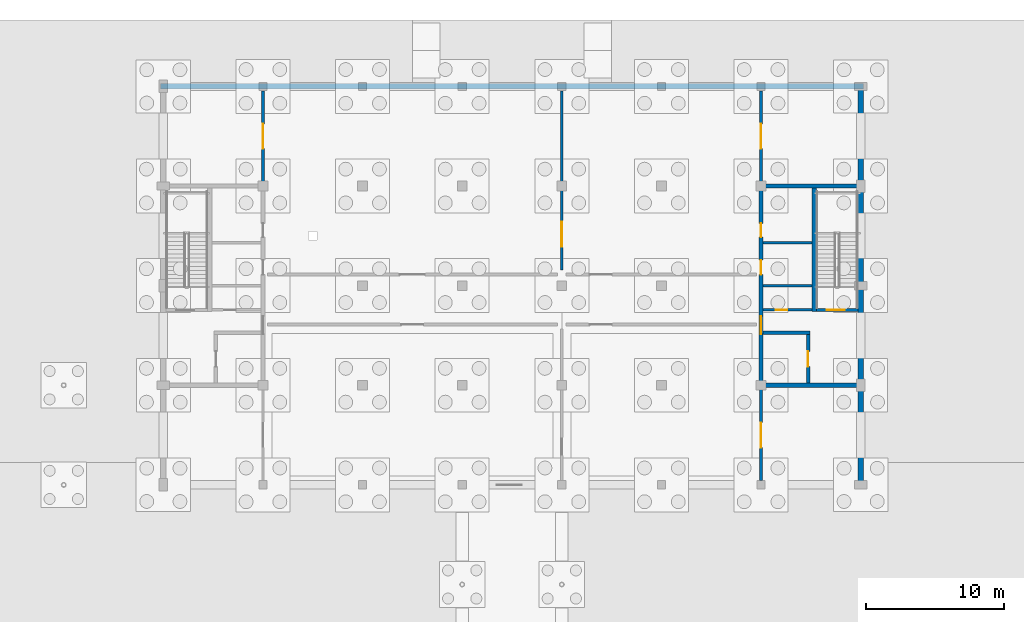
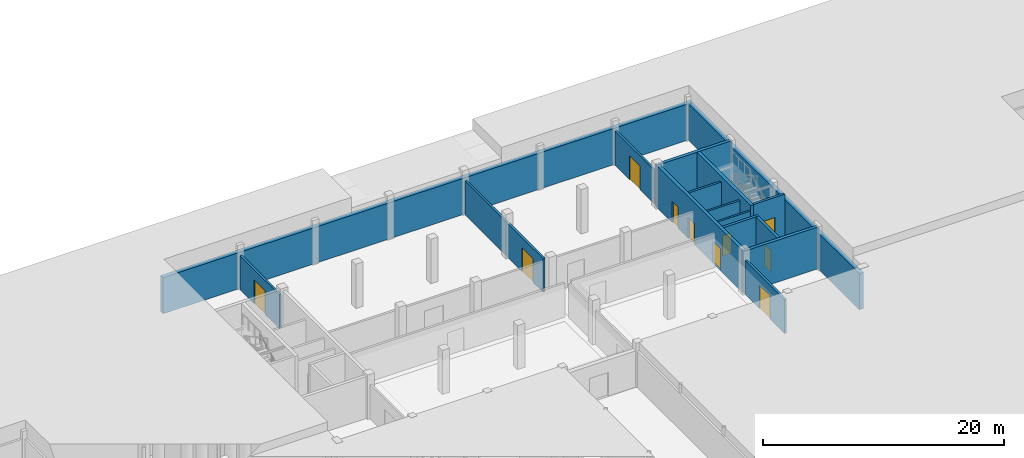
# One storey, part 31 of 51: 16 walls, 10 doors, 10 openings.
"""IFC4 building model written with IfcOpenShell, lengths in metres."""

from ifc_helpers import new_model, si_unit, direction, frame, frame_2d, origin, place, context, subcontext, project, spatial, rectangle, extrude, material, layer, layer_set, type_object, element, fill, save


model = new_model("IFC4")

# Units and contexts
model_context = context("Model", 3, precision=1e-05, world=origin(), true_north=direction((0.0, 1.0)))
body_context = subcontext(model_context, "Body", "Model", "MODEL_VIEW")
ifc_project = project(units=[si_unit("LENGTHUNIT", "METRE"), si_unit("AREAUNIT", "SQUARE_METRE"), si_unit("VOLUMEUNIT", "CUBIC_METRE"), si_unit("PLANEANGLEUNIT", "RADIAN"), si_unit("MASSUNIT", "GRAM", prefix="KILO")], contexts=[model_context])

# Site, building, storey
site_placement = place(None, origin())
site = spatial("IfcSite", under=ifc_project, at=site_placement, CompositionType="ELEMENT")
building_placement = place(site_placement, origin())
building = spatial("IfcBuilding", under=site, at=building_placement, Name="Zlatovets Crest Museum", CompositionType="ELEMENT")
storey_placement = place(building_placement, frame((0.0, 0.0, -4.5)))
storey = spatial("IfcBuildingStorey", under=building, at=storey_placement, Name="B1", CompositionType="ELEMENT", Elevation=-4.5)

# Walls
ifc_material_1 = material(Name="Concrete C35/45", Category="concrete")
ifc_layer_1 = layer(ifc_material_1, 0.300048828125)
ifc_layer_set_1 = layer_set([ifc_layer_1], Name="Concrete C35/45")
wall_type_1 = type_object("IfcWallType", Name="CoreWall_SW01", PredefinedType="SHEAR", material=ifc_layer_set_1)
for number, where, z_axis, x_axis, name in (
    (1, (100.64990234375, 93.60009765625, 0.0), (0.0, 0.0, 1.0), (1.0, 0.0, 0.0), "Core C6 B1 South Shear Wall"),
    (2, (100.64990234375, 108.0, 0.0), (0.0, 0.0, 1.0), (1.0, 0.0, 0.0), "Core C6 B1 North Shear Wall"),
):
    element("IfcWall", number, at=place(storey_placement, frame(where, z_axis=z_axis, x_axis=x_axis)), inside=storey, type_object=wall_type_1, Name=name, PredefinedType="SHEAR", context=body_context, shape_type="SweptSolid", body=[
        extrude(rectangle(XDim=7.150146484375, YDim=0.300048828125, at=frame_2d((3.5751953125, 0.0))), origin(), (0.0, 0.0, 1.0), 4.25),
    ])

# Wall, openings, doors
wall_1_placement = place(storey_placement, frame((100.800048828125, 93.75, 0.0), z_axis=(0.0, 0.0, 1.0), x_axis=(0.0, 1.0, 0.0)))
wall_1 = element("IfcWall", 3, at=wall_1_placement, inside=storey, type_object=wall_type_1, Name="Core C6 B1 Spine Shear Wall", PredefinedType="SHEAR", context=body_context, shape_type="SweptSolid", body=[
    extrude(rectangle(XDim=14.10009765625, YDim=0.300048828125, at=frame_2d((7.050048828125, 0.0))), origin(), (0.0, 0.0, 1.0), 4.25),
])
opening_1_placement = place(wall_1_placement, frame((3.550048828125, 0.0, 0.0)))
opening_1 = element("IfcOpeningElement", 4, at=opening_1_placement, cuts=wall_1, Name="Opening FD-01", PredefinedType="OPENING", context=body_context, shape_type="SweptSolid", body=[
    extrude(rectangle(XDim=1.300048828125, YDim=2.199951171875, at=frame_2d((0.64990234375, 1.10009765625))), frame((0.0, 0.16015625, 0.0), z_axis=(0.0, -1.0, 0.0), x_axis=(1.0, 0.0, 0.0)), (0.0, 0.0, 1.0), 0.320068359375),
])
opening_2_placement = place(wall_1_placement, frame((7.85009765625, 0.0, 0.0)))
opening_2 = element("IfcOpeningElement", 5, at=opening_2_placement, cuts=wall_1, Name="Opening ID-02", PredefinedType="OPENING", context=body_context, shape_type="SweptSolid", body=[
    extrude(rectangle(XDim=1.050048828125, YDim=2.14990234375, at=frame_2d((0.52490234375, 1.074951171875))), frame((0.0, 0.16015625, 0.0), z_axis=(0.0, -1.0, 0.0), x_axis=(1.0, 0.0, 0.0)), (0.0, 0.0, 1.0), 0.320068359375),
])
opening_3_placement = place(wall_1_placement, frame((10.550048828125, 0.0, 0.0)))
opening_3 = element("IfcOpeningElement", 6, at=opening_3_placement, cuts=wall_1, Name="Opening ID-01", PredefinedType="OPENING", context=body_context, shape_type="SweptSolid", body=[
    extrude(rectangle(XDim=1.0, YDim=2.14990234375, at=frame_2d((0.5, 1.074951171875))), frame((0.0, 0.16015625, 0.0), z_axis=(0.0, -1.0, 0.0), x_axis=(1.0, 0.0, 0.0)), (0.0, 0.0, 1.0), 0.320068359375),
])
ifc_material_2 = material(Name="Smoke-sealed steel fire door", Category="steel")
door_type_1 = type_object("IfcDoorType", Name="IntDoor_FD-01", OperationType="NOTDEFINED", PredefinedType="DOOR", material=ifc_material_2)
door_1_placement = place(opening_1_placement, origin())
door_1 = element("IfcDoor", 7, at=door_1_placement, inside=storey, type_object=door_type_1, Name="CDOOR-C6-B1-LOB Core C6 B1 Lobby Fire Door", OperationType="SINGLE_SWING_LEFT", OverallHeight=2.199951171875, OverallWidth=1.300048828125, PredefinedType="DOOR", context=body_context, shape_type="SweptSolid", body=[
    extrude(rectangle(XDim=1.300048828125, YDim=2.199951171875, at=frame_2d((0.64990234375, 1.10009765625))), frame((0.0, 0.02490234375, 0.0), z_axis=(0.0, -1.0, 0.0), x_axis=(1.0, 0.0, 0.0)), (0.0, 0.0, 1.0), 0.050048828125),
])
fill(opening_1, door_1)
ifc_material_3 = material(Name="Solid oak museum room door")
door_type_2 = type_object("IfcDoorType", Name="IntDoor_ID-01", OperationType="NOTDEFINED", PredefinedType="DOOR", material=ifc_material_3)
door_2_placement = place(opening_3_placement, origin())
door_2 = element("IfcDoor", 8, at=door_2_placement, inside=storey, type_object=door_type_2, Name="CDOOR-C6-B1-WC Core C6 B1 Public Restroom Door", OperationType="SINGLE_SWING_RIGHT", OverallHeight=2.14990234375, OverallWidth=1.0, PredefinedType="DOOR", context=body_context, shape_type="SweptSolid", body=[
    extrude(rectangle(XDim=1.0, YDim=2.14990234375, at=frame_2d((0.5, 1.074951171875))), frame((0.0, 0.02490234375, 0.0), z_axis=(0.0, -1.0, 0.0), x_axis=(1.0, 0.0, 0.0)), (0.0, 0.0, 1.0), 0.050048828125),
])
fill(opening_3, door_2)
ifc_material_4 = material(Name="Accessible sanitary room door")
door_type_3 = type_object("IfcDoorType", Name="IntDoor_ID-02", OperationType="NOTDEFINED", PredefinedType="DOOR", material=ifc_material_4)
door_3_placement = place(opening_2_placement, origin())
door_3 = element("IfcDoor", 9, at=door_3_placement, inside=storey, type_object=door_type_3, Name="CDOOR-C6-B1-AWC Core C6 B1 Accessible WC Door", OperationType="SINGLE_SWING_LEFT", OverallHeight=2.14990234375, OverallWidth=1.050048828125, PredefinedType="DOOR", context=body_context, shape_type="SweptSolid", body=[
    extrude(rectangle(XDim=1.050048828125, YDim=2.14990234375, at=frame_2d((0.52490234375, 1.074951171875))), frame((0.0, 0.02490234375, 0.0), z_axis=(0.0, -1.0, 0.0), x_axis=(1.0, 0.0, 0.0)), (0.0, 0.0, 1.0), 0.050048828125),
])
fill(opening_2, door_3)

# Wall
wall_2_placement = place(storey_placement, frame((104.64990234375, 98.93994140625, 0.0), z_axis=(0.0, 0.0, 1.0), x_axis=(0.0, 1.0, 0.0)))
element("IfcWall", 10, at=wall_2_placement, inside=storey, type_object=wall_type_1, Name="Core C6 B1 Stair Divider Wall", PredefinedType="SHEAR", context=body_context, shape_type="SweptSolid", body=[
    extrude(rectangle(XDim=8.91015625, YDim=0.300048828125, at=frame_2d((4.455078125, 0.0))), origin(), (0.0, 0.0, 1.0), 4.25),
])

# Wall, opening, door
ifc_layer_2 = layer(ifc_material_1, 0.25)
ifc_layer_set_2 = layer_set([ifc_layer_2], Name="Concrete C35/45")
wall_type_2 = type_object("IfcWallType", Name="CoreWall_SW02", PredefinedType="SHEAR", material=ifc_layer_set_2)
wall_3_placement = place(storey_placement, frame((104.199951171875, 93.75, 0.0), z_axis=(0.0, 0.0, 1.0), x_axis=(0.0, 1.0, 0.0)))
wall_3 = element("IfcWall", 11, at=wall_3_placement, inside=storey, type_object=wall_type_2, Name="Core C6 B1 Lift Shaft Wall", PredefinedType="SHEAR", context=body_context, shape_type="SweptSolid", body=[
    extrude(rectangle(XDim=3.52490234375, YDim=0.25, at=frame_2d((1.762451171875, 0.0))), origin(), (0.0, 0.0, 1.0), 4.25),
])
opening_4_placement = place(wall_3_placement, frame((1.199951171875, 0.0, 0.0)))
opening_4 = element("IfcOpeningElement", 12, at=opening_4_placement, cuts=wall_3, Name="Opening LD-01", PredefinedType="OPENING", context=body_context, shape_type="SweptSolid", body=[
    extrude(rectangle(XDim=1.10009765625, YDim=2.14990234375, at=frame_2d((0.550048828125, 1.074951171875))), frame((0.0, 0.135009765625, 0.0), z_axis=(0.0, -1.0, 0.0), x_axis=(1.0, 0.0, 0.0)), (0.0, 0.0, 1.0), 0.27001953125),
])
ifc_material_5 = material(Name="Stainless-bronze sliding lift landing door")
door_type_4 = type_object("IfcDoorType", Name="IntDoor_LD-01", OperationType="SLIDING_TO_LEFT", PredefinedType="DOOR", material=ifc_material_5)
door_4_placement = place(opening_4_placement, origin())
door_4 = element("IfcDoor", 13, at=door_4_placement, inside=storey, type_object=door_type_4, Name="LDOOR-FL2-B1 Lift FL2 B1 Sliding Landing Door", OperationType="SLIDING_TO_LEFT", OverallHeight=2.14990234375, OverallWidth=1.10009765625, PredefinedType="DOOR", context=body_context, shape_type="SweptSolid", body=[
    extrude(rectangle(XDim=1.10009765625, YDim=2.14990234375, at=frame_2d((0.550048828125, 1.074951171875))), frame((0.0, 0.02490234375, 0.0), z_axis=(0.0, -1.0, 0.0), x_axis=(1.0, 0.0, 0.0)), (0.0, 0.0, 1.0), 0.050048828125),
])
fill(opening_4, door_4)

wall_4_placement = place(storey_placement, frame((104.800048828125, 99.050048828125, 0.0), z_axis=(0.0, 0.0, 1.0), x_axis=(1.0, 0.0, 0.0)))
wall_4 = element("IfcWall", 14, at=wall_4_placement, inside=storey, type_object=wall_type_2, Name="Core C6 B1 Stairwell Fire Wall", PredefinedType="SHEAR", context=body_context, shape_type="SweptSolid", body=[
    extrude(rectangle(XDim=3.0, YDim=0.219970703125, at=frame_2d((1.5, 0.0))), origin(), (0.0, 0.0, 1.0), 4.25),
])
opening_5_placement = place(wall_4_placement, frame((0.75, 0.0, 0.0)))
opening_5 = element("IfcOpeningElement", 15, at=opening_5_placement, cuts=wall_4, Name="Opening FD-01", PredefinedType="OPENING", context=body_context, shape_type="SweptSolid", body=[
    extrude(rectangle(XDim=1.300048828125, YDim=2.199951171875, at=frame_2d((0.64990234375, 1.10009765625))), frame((0.0, 0.1201171875, 0.0), z_axis=(0.0, -1.0, 0.0), x_axis=(1.0, 0.0, 0.0)), (0.0, 0.0, 1.0), 0.239990234375),
])
door_5_placement = place(opening_5_placement, origin())
door_5 = element("IfcDoor", 16, at=door_5_placement, inside=storey, type_object=door_type_1, Name="SDOOR-ST7-B1 Stair ST7 B1 Fire Door", OperationType="SINGLE_SWING_LEFT", OverallHeight=2.199951171875, OverallWidth=1.300048828125, PredefinedType="DOOR", context=body_context, shape_type="SweptSolid", body=[
    extrude(rectangle(XDim=1.300048828125, YDim=2.199951171875, at=frame_2d((0.64990234375, 1.10009765625))), frame((0.0, 0.02490234375, 0.0), z_axis=(0.0, -1.0, 0.0), x_axis=(1.0, 0.0, 0.0)), (0.0, 0.0, 1.0), 0.050048828125),
])
fill(opening_5, door_5)

# Wall
wall_5_placement = place(storey_placement, frame((100.949951171875, 97.39990234375, 0.0), z_axis=(0.0, 0.0, 1.0), x_axis=(1.0, 0.0, 0.0)))
element("IfcWall", 17, at=wall_5_placement, inside=storey, type_object=wall_type_2, Name="Core C6 B1 Lift Shaft North Shear Wall", PredefinedType="SHEAR", context=body_context, shape_type="SweptSolid", body=[
    extrude(rectangle(XDim=3.375, YDim=0.25, at=frame_2d((1.6875, 0.0))), origin(), (0.0, 0.0, 1.0), 4.25),
])

# Wall, opening, door
ifc_material_6 = material(Name="Gypsum-encased fire compartment partition")
ifc_layer_3 = layer(ifc_material_6, 0.199951171875)
ifc_layer_set_3 = layer_set([ifc_layer_3], Name="Gypsum-encased fire compartment partition")
wall_type_3 = type_object("IfcWallType", Name="PartWall_PT-01", PredefinedType="PARTITIONING", material=ifc_layer_set_3)
wall_6_placement = place(storey_placement, frame((100.800048828125, 86.719970703125, 0.0), z_axis=(0.0, 0.0, 1.0), x_axis=(0.0, 1.0, 0.0)))
wall_6 = element("IfcWall", 18, at=wall_6_placement, inside=storey, type_object=wall_type_3, Name="V1 B1 Interior Partition PT-01", PredefinedType="PARTITIONING", context=body_context, shape_type="SweptSolid", body=[
    extrude(rectangle(XDim=6.56005859375, YDim=0.199951171875, at=frame_2d((3.280029296875, 0.0))), origin(), (0.0, 0.0, 1.0), 3.449951171875),
])
opening_6_placement = place(wall_6_placement, frame((2.3798828125, 0.0, 0.0)))
opening_6 = element("IfcOpeningElement", 19, at=opening_6_placement, cuts=wall_6, Name="Opening FD-04", PredefinedType="OPENING", context=body_context, shape_type="SweptSolid", body=[
    extrude(rectangle(XDim=1.800048828125, YDim=2.39990234375, at=frame_2d((0.89990234375, 1.199951171875))), frame((0.0, 0.10986328125, 0.0), z_axis=(0.0, -1.0, 0.0), x_axis=(1.0, 0.0, 0.0)), (0.0, 0.0, 1.0), 0.219970703125),
])
ifc_material_7 = material(Name="Archive vault heavy fire door")
door_type_5 = type_object("IfcDoorType", Name="IntDoor_FD-04", OperationType="DOUBLE_DOOR_SINGLE_SWING", PredefinedType="DOOR", material=ifc_material_7)
door_6_placement = place(opening_6_placement, origin())
door_6 = element("IfcDoor", 20, at=door_6_placement, inside=storey, type_object=door_type_5, Name="IDOOR-V1-B1-0007 Thracian Epigraphy Exhibition Gallery to Numismatic Vault Study Door", OperationType="DOUBLE_DOOR_SINGLE_SWING", OverallHeight=2.39990234375, OverallWidth=1.800048828125, PredefinedType="DOOR", context=body_context, shape_type="SweptSolid", body=[
    extrude(rectangle(XDim=1.800048828125, YDim=2.39990234375, at=frame_2d((0.89990234375, 1.199951171875))), frame((0.0, 0.02490234375, 0.0), z_axis=(0.0, -1.0, 0.0), x_axis=(1.0, 0.0, 0.0)), (0.0, 0.0, 1.0), 0.050048828125),
])
fill(opening_6, door_6)

wall_7_placement = place(storey_placement, frame((86.39990234375, 101.919921875, 0.0), z_axis=(0.0, 0.0, 1.0), x_axis=(0.0, 1.0, 0.0)))
wall_7 = element("IfcWall", 21, at=wall_7_placement, inside=storey, type_object=wall_type_3, Name="V1 B1 Interior Partition PT-01", PredefinedType="PARTITIONING", context=body_context, shape_type="SweptSolid", body=[
    extrude(rectangle(XDim=12.9599609375, YDim=0.199951171875, at=frame_2d((6.47998046875, 0.0))), origin(), (0.0, 0.0, 1.0), 3.449951171875),
])
opening_7_placement = place(wall_7_placement, frame((1.69189453125, 0.0, 0.0)))
opening_7 = element("IfcOpeningElement", 22, at=opening_7_placement, cuts=wall_7, Name="Opening FD-04", PredefinedType="OPENING", context=body_context, shape_type="SweptSolid", body=[
    extrude(rectangle(XDim=1.800048828125, YDim=2.39990234375, at=frame_2d((0.89990234375, 1.199951171875))), frame((0.0, 0.10986328125, 0.0), z_axis=(0.0, -1.0, 0.0), x_axis=(1.0, 0.0, 0.0)), (0.0, 0.0, 1.0), 0.219970703125),
])
door_7_placement = place(opening_7_placement, origin())
door_7 = element("IfcDoor", 23, at=door_7_placement, inside=storey, type_object=door_type_5, Name="IDOOR-V1-B1-0008 Sculpture Collection Archive to Stone and Mosaic Conservation Laboratory Door", OperationType="DOUBLE_DOOR_SINGLE_SWING", OverallHeight=2.39990234375, OverallWidth=1.800048828125, PredefinedType="DOOR", context=body_context, shape_type="SweptSolid", body=[
    extrude(rectangle(XDim=1.800048828125, YDim=2.39990234375, at=frame_2d((0.89990234375, 1.199951171875))), frame((0.0, 0.02490234375, 0.0), z_axis=(0.0, -1.0, 0.0), x_axis=(1.0, 0.0, 0.0)), (0.0, 0.0, 1.0), 0.050048828125),
])
fill(opening_7, door_7)

wall_8_placement = place(storey_placement, frame((64.800048828125, 108.320068359375, 0.0), z_axis=(0.0, 0.0, 1.0), x_axis=(0.0, 1.0, 0.0)))
wall_8 = element("IfcWall", 24, at=wall_8_placement, inside=storey, type_object=wall_type_3, Name="V1 B1 Interior Partition PT-01", PredefinedType="PARTITIONING", context=body_context, shape_type="SweptSolid", body=[
    extrude(rectangle(XDim=6.559814453125, YDim=0.199951171875, at=frame_2d((3.27978515625, 0.0))), origin(), (0.0, 0.0, 1.0), 3.449951171875),
])
opening_8_placement = place(wall_8_placement, frame((2.3798828125, 0.0, 0.0)))
opening_8 = element("IfcOpeningElement", 25, at=opening_8_placement, cuts=wall_8, Name="Opening FD-04", PredefinedType="OPENING", context=body_context, shape_type="SweptSolid", body=[
    extrude(rectangle(XDim=1.800048828125, YDim=2.39990234375, at=frame_2d((0.89990234375, 1.199951171875))), frame((0.0, 0.10986328125, 0.0), z_axis=(0.0, -1.0, 0.0), x_axis=(1.0, 0.0, 0.0)), (0.0, 0.0, 1.0), 0.219970703125),
])
door_8_placement = place(opening_8_placement, origin())
door_8 = element("IfcDoor", 26, at=door_8_placement, inside=storey, type_object=door_type_5, Name="IDOOR-V1-B1-0009 Sculpture Collection Archive to Crate Acclimatisation Store Door", OperationType="DOUBLE_DOOR_SINGLE_SWING", OverallHeight=2.39990234375, OverallWidth=1.800048828125, PredefinedType="DOOR", context=body_context, shape_type="SweptSolid", body=[
    extrude(rectangle(XDim=1.800048828125, YDim=2.39990234375, at=frame_2d((0.89990234375, 1.199951171875))), frame((0.0, 0.02490234375, 0.0), z_axis=(0.0, -1.0, 0.0), x_axis=(1.0, 0.0, 0.0)), (0.0, 0.0, 1.0), 0.050048828125),
])
fill(opening_8, door_8)

wall_9_placement = place(storey_placement, frame((100.800048828125, 108.320068359375, 0.0), z_axis=(0.0, 0.0, 1.0), x_axis=(0.0, 1.0, 0.0)))
wall_9 = element("IfcWall", 27, at=wall_9_placement, inside=storey, type_object=wall_type_3, Name="V1 B1 Interior Partition PT-01", PredefinedType="PARTITIONING", context=body_context, shape_type="SweptSolid", body=[
    extrude(rectangle(XDim=6.559814453125, YDim=0.199951171875, at=frame_2d((3.27978515625, 0.0))), origin(), (0.0, 0.0, 1.0), 3.449951171875),
])
opening_9_placement = place(wall_9_placement, frame((2.3798828125, 0.0, 0.0)))
opening_9 = element("IfcOpeningElement", 28, at=opening_9_placement, cuts=wall_9, Name="Opening FD-04", PredefinedType="OPENING", context=body_context, shape_type="SweptSolid", body=[
    extrude(rectangle(XDim=1.800048828125, YDim=2.39990234375, at=frame_2d((0.89990234375, 1.199951171875))), frame((0.0, 0.10986328125, 0.0), z_axis=(0.0, -1.0, 0.0), x_axis=(1.0, 0.0, 0.0)), (0.0, 0.0, 1.0), 0.219970703125),
])
door_9_placement = place(opening_9_placement, origin())
door_9 = element("IfcDoor", 29, at=door_9_placement, inside=storey, type_object=door_type_5, Name="IDOOR-V1-B1-0010 Stone and Mosaic Conservation Laboratory to Mosaic Plaster Archive Door", OperationType="DOUBLE_DOOR_SINGLE_SWING", OverallHeight=2.39990234375, OverallWidth=1.800048828125, PredefinedType="DOOR", context=body_context, shape_type="SweptSolid", body=[
    extrude(rectangle(XDim=1.800048828125, YDim=2.39990234375, at=frame_2d((0.89990234375, 1.199951171875))), frame((0.0, 0.02490234375, 0.0), z_axis=(0.0, -1.0, 0.0), x_axis=(1.0, 0.0, 0.0)), (0.0, 0.0, 1.0), 0.050048828125),
])
fill(opening_9, door_9)

ifc_material_8 = material(Name="Sanitary core acoustic service wall")
ifc_layer_4 = layer(ifc_material_8, 0.219970703125)
ifc_layer_set_4 = layer_set([ifc_layer_4], Name="Sanitary core acoustic service wall")
wall_type_4 = type_object("IfcWallType", Name="PartWall_PT-04", PredefinedType="PLUMBINGWALL", material=ifc_layer_set_4)
wall_10_placement = place(storey_placement, frame((100.949951171875, 99.050048828125, 0.0), z_axis=(0.0, 0.0, 1.0), x_axis=(1.0, 0.0, 0.0)))
wall_10 = element("IfcWall", 30, at=wall_10_placement, inside=storey, type_object=wall_type_4, Name="Core C6 B1 Riser Lobby Wall", PredefinedType="PLUMBINGWALL", context=body_context, shape_type="SweptSolid", body=[
    extrude(rectangle(XDim=3.550048828125, YDim=0.199951171875, at=frame_2d((1.77490234375, 0.0))), origin(), (0.0, 0.0, 1.0), 3.669921875),
])
opening_10_placement = place(wall_10_placement, frame((0.89990234375, 0.0, 0.0)))
opening_10 = element("IfcOpeningElement", 31, at=opening_10_placement, cuts=wall_10, Name="Opening FD-03", PredefinedType="OPENING", context=body_context, shape_type="SweptSolid", body=[
    extrude(rectangle(XDim=0.85009765625, YDim=2.050048828125, at=frame_2d((0.425048828125, 1.02490234375))), frame((0.0, 0.10986328125, 0.0), z_axis=(0.0, -1.0, 0.0), x_axis=(1.0, 0.0, 0.0)), (0.0, 0.0, 1.0), 0.219970703125),
])
ifc_material_9 = material(Name="Steel riser shaft access fire door", Category="steel")
door_type_6 = type_object("IfcDoorType", Name="IntDoor_FD-03", OperationType="NOTDEFINED", PredefinedType="TRAPDOOR", material=ifc_material_9)
door_10_placement = place(opening_10_placement, origin())
door_10 = element("IfcDoor", 32, at=door_10_placement, inside=storey, type_object=door_type_6, Name="CDOOR-C6-B1-RIS Core C6 B1 Riser Access Door", OperationType="SINGLE_SWING_RIGHT", OverallHeight=2.050048828125, OverallWidth=0.85009765625, PredefinedType="TRAPDOOR", context=body_context, shape_type="SweptSolid", body=[
    extrude(rectangle(XDim=0.85009765625, YDim=2.050048828125, at=frame_2d((0.425048828125, 1.02490234375))), frame((0.0, 0.02490234375, 0.0), z_axis=(0.0, -1.0, 0.0), x_axis=(1.0, 0.0, 0.0)), (0.0, 0.0, 1.0), 0.050048828125),
])
fill(opening_10, door_10)

# Walls
for number, where, z_axis, x_axis, name in (
    (33, (100.949951171875, 100.800048828125, 0.0), (0.0, 0.0, 1.0), (1.0, 0.0, 0.0), "Core C6 B1 Sanitary Divider"),
    (34, (100.949951171875, 103.89990234375, 0.0), (0.0, 0.0, 1.0), (1.0, 0.0, 0.0), "Core C6 B1 Sanitary Divider"),
):
    element("IfcWall", number, at=place(storey_placement, frame(where, z_axis=z_axis, x_axis=x_axis)), inside=storey, type_object=wall_type_4, Name=name, PredefinedType="PLUMBINGWALL", context=body_context, shape_type="SweptSolid", body=[
        extrude(rectangle(XDim=3.550048828125, YDim=0.199951171875, at=frame_2d((1.77490234375, 0.0))), origin(), (0.0, 0.0, 1.0), 3.669921875),
    ])
ifc_layer_5 = layer(ifc_material_1, 0.39990234375)
ifc_layer_set_5 = layer_set([ifc_layer_5], Name="Concrete C35/45")
wall_type_5 = type_object("IfcWallType", Name="RetainingWall_RW01", PredefinedType="USERDEFINED", material=ifc_layer_set_5)
wall_11_placement = place(storey_placement, frame((108.0, 86.60009765625, 0.0), z_axis=(0.0, 0.0, 1.0), x_axis=(0.0, 1.0, 0.0)))
element("IfcWall", 35, at=wall_11_placement, inside=storey, type_object=wall_type_5, Name="V1 B1 Retaining Wall E", ObjectType="RETAINING WALL", PredefinedType="USERDEFINED", context=body_context, shape_type="SweptSolid", body=[
    extrude(rectangle(XDim=28.39990234375, YDim=0.39990234375, at=frame_2d((14.199951171875, 0.0))), origin(), (0.0, 0.0, 1.0), 3.669921875),
])
wall_12_placement = place(storey_placement, frame((108.199951171875, 115.199951171875, 0.0), z_axis=(0.0, 0.0, 1.0), x_axis=(-1.0, 0.0, 0.0)))
element("IfcWall", 36, at=wall_12_placement, inside=storey, type_object=wall_type_5, Name="V1 B1 Retaining Wall N", ObjectType="RETAINING WALL", PredefinedType="USERDEFINED", context=body_context, shape_type="SweptSolid", body=[
    extrude(rectangle(XDim=50.800048828125, YDim=0.39990234375, at=frame_2d((25.39990234375, 0.0))), origin(), (0.0, 0.0, 1.0), 3.669921875),
])

save(model, "model.ifc")
